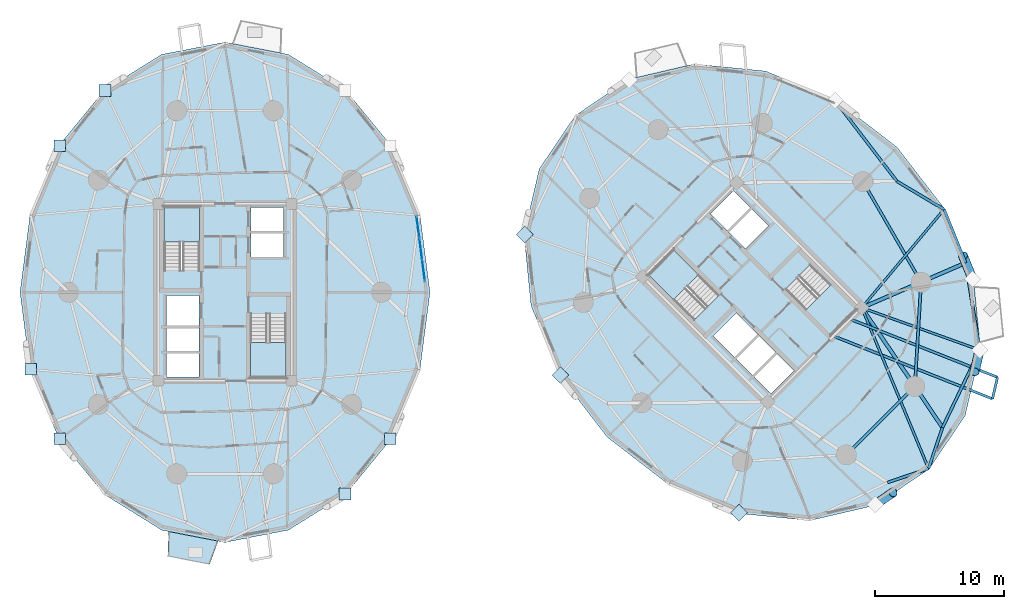
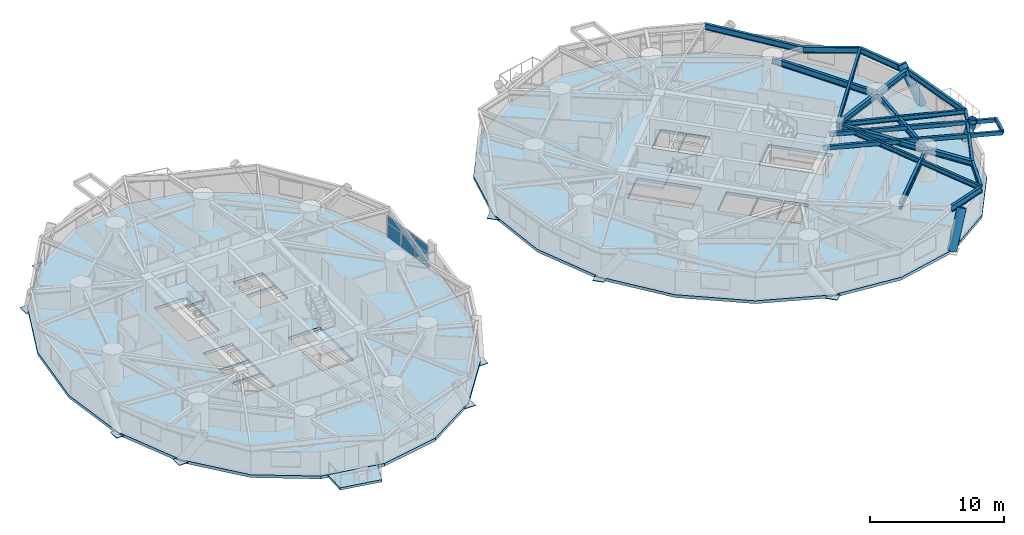
# One storey, part 8 of 19: 18 beams, 15 plates, 7 slabs, 3 members, 5 elements without a shape of their own.
"""IFC4 building model written with IfcOpenShell, lengths in metres."""

from ifc_helpers import new_model, si_unit, direction, frame, origin, origin_2d, place, context, subcontext, project, spatial, polyline, rectangle, hollow_rectangle, hollow_circle, i_section, outline, extrude, source, transform, mapped, material, layer, layer_set, material_profile, profile_set, type_object, element, aggregate, save


model = new_model("IFC4")

# Units and contexts
model_context = context("Model", 3, precision=1e-05, world=origin(), true_north=direction((0.0, 1.0)))
body_context = subcontext(model_context, "Body", "Model", "MODEL_VIEW")
ifc_project = project(units=[si_unit("LENGTHUNIT", "METRE"), si_unit("AREAUNIT", "SQUARE_METRE"), si_unit("VOLUMEUNIT", "CUBIC_METRE"), si_unit("PLANEANGLEUNIT", "RADIAN"), si_unit("MASSUNIT", "GRAM", prefix="KILO")], contexts=[model_context])

# Site, building, storey
site_placement = place(None, origin())
site = spatial("IfcSite", under=ifc_project, at=site_placement, CompositionType="ELEMENT")
building_placement = place(site_placement, origin())
building = spatial("IfcBuilding", under=site, at=building_placement, Name="Cununo Teusaquillo Station Towers", CompositionType="ELEMENT")
storey_placement = place(building_placement, frame((0.0, 0.0, 48.18994140625)))
storey = spatial("IfcBuildingStorey", under=building, at=storey_placement, Name="L14", CompositionType="ELEMENT", Elevation=48.18994140625)

# Beams
ifc_material_1 = material(Name="Steel EN 10025-2 S355J2", Category="steel")
ifc_material_profile_1 = material_profile(ifc_material_1, hollow_rectangle(XDim=0.199951171875, YDim=0.35009765625, WallThickness=0.013916015625, at=origin_2d()), Name="RHS 350x200x14")
ifc_profile_set_1 = profile_set([ifc_material_profile_1], Name="Steel EN 10025-2 S355J2")
beam_type_1 = type_object("IfcBeamType", Name="BM-BAL-CANT", PredefinedType="BEAM", material=ifc_profile_set_1)
beam_1_placement = place(storey_placement, frame((63.587890625, 21.18359375, 2.47509765625), z_axis=(0.930193782054, -0.367068832548, 0.0), x_axis=(0.367068832548, 0.930193782054, 0.0)))
element("IfcBeam", 1, at=beam_1_placement, inside=storey, type_object=beam_type_1, Name="L14 Tower B Balcony Cantilever Bracket 2A", PredefinedType="BEAM", context=body_context, shape_type="SweptSolid", body=[
    extrude(hollow_rectangle(XDim=0.199951171875, YDim=0.35009765625, WallThickness=0.013916015625, at=origin_2d()), origin(), (0.0, 0.0, 1.0), 13.541015625),
])
beam_2_placement = place(storey_placement, frame((64.89892578125, 22.494384765625, 2.47509765625), z_axis=(0.930195773003, -0.367063787218, 0.0), x_axis=(0.367063787218, 0.930195773003, 0.0)))
element("IfcBeam", 2, at=beam_2_placement, inside=storey, type_object=beam_type_1, Name="L14 Tower B Balcony Cantilever Bracket 2B", PredefinedType="BEAM", context=body_context, shape_type="SweptSolid", body=[
    extrude(hollow_rectangle(XDim=0.199951171875, YDim=0.35009765625, WallThickness=0.013916015625, at=origin_2d()), origin(), (0.0, 0.0, 1.0), 12.551513671875),
])
ifc_material_2 = material(Name="Steel ASTM A572 Grade 50", Category="steel")
ifc_material_profile_2 = material_profile(ifc_material_2, i_section(OverallWidth=0.180908203125, OverallDepth=0.4169921875, WebThickness=0.010986328125, FlangeThickness=0.018310546875, FilletRadius=0.012939453125, at=origin_2d()), Name="W16X57")
ifc_profile_set_2 = profile_set([ifc_material_profile_2], Name="Steel ASTM A572 Grade 50")
beam_type_2 = type_object("IfcBeamType", Name="BM-JOIST-1", PredefinedType="JOIST", material=ifc_profile_set_2)
beam_3_placement = place(storey_placement, frame((66.024169921875, 23.29443359375, 2.441650390625), z_axis=(0.383107724927, -0.923703670612, 0.0), x_axis=(0.923703670612, 0.383107724927, 0.0)))
element("IfcBeam", 3, at=beam_3_placement, inside=storey, type_object=beam_type_2, Name="L14 Tower B Radial Spandrel Joist V15", PredefinedType="JOIST", context=body_context, shape_type="SweptSolid", body=[
    extrude(i_section(OverallWidth=0.180908203125, OverallDepth=0.4169921875, WebThickness=0.010986328125, FlangeThickness=0.018310546875, FilletRadius=0.012939453125, at=origin_2d()), origin(), (0.0, 0.0, 1.0), 13.5380859375),
])
beam_4_placement = place(storey_placement, frame((66.024169921875, 23.29443359375, 2.441650390625), z_axis=(0.941404588136, -0.337279411522, 0.0), x_axis=(0.337279411522, 0.941404588136, 0.0)))
element("IfcBeam", 4, at=beam_4_placement, inside=storey, type_object=beam_type_2, Name="L14 Tower B Radial Spandrel Joist V17", PredefinedType="JOIST", context=body_context, shape_type="SweptSolid", body=[
    extrude(i_section(OverallWidth=0.180908203125, OverallDepth=0.4169921875, WebThickness=0.010986328125, FlangeThickness=0.018310546875, FilletRadius=0.012939453125, at=origin_2d()), origin(), (0.0, 0.0, 1.0), 9.740234375),
])
beam_5_placement = place(storey_placement, frame((66.024169921875, 23.29443359375, 2.441650390625), z_axis=(0.641315728701, 0.767277092139, 0.0), x_axis=(-0.767277092139, 0.641315728701, 0.0)))
element("IfcBeam", 5, at=beam_5_placement, inside=storey, type_object=beam_type_2, Name="L14 Tower B Radial Spandrel Joist V19", PredefinedType="JOIST", context=body_context, shape_type="SweptSolid", body=[
    extrude(i_section(OverallWidth=0.180908203125, OverallDepth=0.4169921875, WebThickness=0.010986328125, FlangeThickness=0.018310546875, FilletRadius=0.012939453125, at=origin_2d()), origin(), (0.0, 0.0, 1.0), 9.97021484375),
])
ifc_material_3 = material(Name="Steel ASTM A572 Grade 50", Category="steel")
ifc_material_profile_3 = material_profile(ifc_material_3, i_section(OverallWidth=0.280029296875, OverallDepth=0.462890625, WebThickness=0.0107421875, FlangeThickness=0.017333984375, FilletRadius=0.013916015625, at=origin_2d()), Name="W18X76")
ifc_profile_set_3 = profile_set([ifc_material_profile_3], Name="Steel ASTM A572 Grade 50")
beam_type_3 = type_object("IfcBeamType", Name="BM-RAD-G1", PredefinedType="BEAM", material=ifc_profile_set_3)
beam_6_placement = place(storey_placement, frame((66.024169921875, 23.29443359375, 2.41845703125), z_axis=(0.558572297481, -0.82945583878, 0.0), x_axis=(0.82945583878, 0.558572297481, 0.0)))
element("IfcBeam", 6, at=beam_6_placement, inside=storey, type_object=beam_type_3, Name="L14 Tower B Continuous Overhanging Radial Girder 09", PredefinedType="BEAM", context=body_context, shape_type="SweptSolid", body=[
    extrude(i_section(OverallWidth=0.280029296875, OverallDepth=0.462890625, WebThickness=0.0107421875, FlangeThickness=0.017333984375, FilletRadius=0.013916015625, at=origin_2d()), origin(), (0.0, 0.0, 1.0), 11.22998046875),
])
beam_7_placement = place(storey_placement, frame((66.024169921875, 23.29443359375, 2.41845703125), z_axis=(0.917660203996, 0.397366015157, 0.0), x_axis=(-0.397366015157, 0.917660203996, 0.0)))
element("IfcBeam", 7, at=beam_7_placement, inside=storey, type_object=beam_type_3, Name="L14 Tower B Continuous Overhanging Radial Girder 10", PredefinedType="BEAM", context=body_context, shape_type="SweptSolid", body=[
    extrude(i_section(OverallWidth=0.280029296875, OverallDepth=0.462890625, WebThickness=0.0107421875, FlangeThickness=0.017333984375, FilletRadius=0.013916015625, at=origin_2d()), origin(), (0.0, 0.0, 1.0), 8.798095703125),
])
ifc_material_4 = material(Name="Steel ASTM A572 Grade 50", Category="steel")
ifc_material_profile_4 = material_profile(ifc_material_4, i_section(OverallWidth=0.214111328125, OverallDepth=0.549072265625, WebThickness=0.0146484375, FlangeThickness=0.023681640625, FilletRadius=0.014892578125, at=origin_2d()), Name="W21X93")
ifc_profile_set_4 = profile_set([ifc_material_profile_4], Name="Steel ASTM A572 Grade 50")
beam_type_4 = type_object("IfcBeamType", Name="BM-RING-Z1", PredefinedType="SPANDREL", material=ifc_profile_set_4)
beam_8_placement = place(storey_placement, frame((64.826904296875, 11.853759765625, 2.37548828125), z_axis=(0.707106781187, 0.707106781187, 0.0), x_axis=(-0.707106781187, 0.707106781187, 0.0)))
element("IfcBeam", 8, at=beam_8_placement, inside=storey, type_object=beam_type_4, Name="L14 Tower B Structural Column Ring Girder 08", PredefinedType="SPANDREL", context=body_context, shape_type="SweptSolid", body=[
    extrude(i_section(OverallWidth=0.214111328125, OverallDepth=0.549072265625, WebThickness=0.0146484375, FlangeThickness=0.023681640625, FilletRadius=0.014892578125, at=origin_2d()), origin(), (0.0, 0.0, 1.0), 7.522705078125),
])
beam_9_placement = place(storey_placement, frame((70.146240234375, 17.173095703125, 2.37548828125), z_axis=(0.06012979176, 0.998190567048, 0.0), x_axis=(-0.998190567048, 0.06012979176, 0.0)))
element("IfcBeam", 9, at=beam_9_placement, inside=storey, type_object=beam_type_4, Name="L14 Tower B Structural Column Ring Girder 09", PredefinedType="SPANDREL", context=body_context, shape_type="SweptSolid", body=[
    extrude(i_section(OverallWidth=0.214111328125, OverallDepth=0.549072265625, WebThickness=0.0146484375, FlangeThickness=0.023681640625, FilletRadius=0.014892578125, at=origin_2d()), origin(), (0.0, 0.0, 1.0), 8.132568359375),
])
beam_10_placement = place(storey_placement, frame((70.63525390625, 25.291015625, 2.37548828125), z_axis=(-0.501311121078, 0.865267103202, 0.0), x_axis=(-0.865267103202, -0.501311121078, 0.0)))
element("IfcBeam", 10, at=beam_10_placement, inside=storey, type_object=beam_type_4, Name="L14 Tower B Structural Column Ring Girder 10", PredefinedType="SPANDREL", context=body_context, shape_type="SweptSolid", body=[
    extrude(i_section(OverallWidth=0.214111328125, OverallDepth=0.549072265625, WebThickness=0.0146484375, FlangeThickness=0.023681640625, FilletRadius=0.014892578125, at=origin_2d()), origin(), (0.0, 0.0, 1.0), 9.032958984375),
])
beam_11_placement = place(storey_placement, frame((68.7529296875, 33.12939453125, 2.37548828125), z_axis=(-0.607410042696, 0.794388469222, 0.0), x_axis=(-0.794388469222, -0.607410042696, 0.0)))
element("IfcBeam", 11, at=beam_11_placement, inside=storey, type_object=beam_type_4, Name="L14 Tower B Spandrel Ring Beam 01", PredefinedType="SPANDREL", context=body_context, shape_type="SweptSolid", body=[
    extrude(i_section(OverallWidth=0.214111328125, OverallDepth=0.549072265625, WebThickness=0.0146484375, FlangeThickness=0.023681640625, FilletRadius=0.014892578125, at=origin_2d()), origin(), (0.0, 0.0, 1.0), 7.91650390625),
])
for number, where, z_axis, x_axis, name in (
    (12, (68.020263671875, 9.703125, 2.37548828125), (0.946642852865, 0.322284515794, 0.0), (-0.322284515794, 0.946642852865, 0.0), "L14 Tower B Spandrel Ring Beam 15"),
    (13, (71.210693359375, 10.789306640625, 2.37548828125), (0.322284515794, 0.946642852865, 0.0), (-0.946642852865, 0.322284515794, 0.0), "L14 Tower B Spandrel Ring Beam 16"),
):
    element("IfcBeam", number, at=place(storey_placement, frame(where, z_axis=z_axis, x_axis=x_axis)), inside=storey, type_object=beam_type_4, Name=name, PredefinedType="SPANDREL", context=body_context, shape_type="SweptSolid", body=[
        extrude(i_section(OverallWidth=0.214111328125, OverallDepth=0.549072265625, WebThickness=0.0146484375, FlangeThickness=0.023681640625, FilletRadius=0.014892578125, at=origin_2d()), origin(), (0.0, 0.0, 1.0), 3.370361328125),
    ])
beam_12_placement = place(storey_placement, frame((72.296875, 13.979736328125, 2.37548828125), z_axis=(0.433040723491, 0.901374357189, 0.0), x_axis=(-0.901374357189, 0.433040723491, 0.0)))
element("IfcBeam", 14, at=beam_12_placement, inside=storey, type_object=beam_type_4, Name="L14 Tower B Spandrel Ring Beam 17", PredefinedType="SPANDREL", context=body_context, shape_type="SweptSolid", body=[
    extrude(i_section(OverallWidth=0.214111328125, OverallDepth=0.549072265625, WebThickness=0.0146484375, FlangeThickness=0.023681640625, FilletRadius=0.014892578125, at=origin_2d()), origin(), (0.0, 0.0, 1.0), 6.689208984375),
])
beam_13_placement = place(storey_placement, frame((75.193603515625, 20.00927734375, 2.37548828125), z_axis=(-0.15950955411, 0.987196384793, 0.0), x_axis=(-0.987196384793, -0.15950955411, 0.0)))
element("IfcBeam", 15, at=beam_13_placement, inside=storey, type_object=beam_type_4, Name="L14 Tower B Spandrel Ring Beam 18", PredefinedType="SPANDREL", context=body_context, shape_type="SweptSolid", body=[
    extrude(i_section(OverallWidth=0.214111328125, OverallDepth=0.549072265625, WebThickness=0.0146484375, FlangeThickness=0.023681640625, FilletRadius=0.014892578125, at=origin_2d()), origin(), (0.0, 0.0, 1.0), 6.869140625),
])
beam_14_placement = place(storey_placement, frame((74.097900390625, 26.79052734375, 2.37548828125), z_axis=(-0.374882843411, 0.927072194447, 0.0), x_axis=(-0.927072194447, -0.374882843411, 0.0)))
element("IfcBeam", 16, at=beam_14_placement, inside=storey, type_object=beam_type_4, Name="L14 Tower B Spandrel Ring Beam 19", PredefinedType="SPANDREL", context=body_context, shape_type="SweptSolid", body=[
    extrude(i_section(OverallWidth=0.214111328125, OverallDepth=0.549072265625, WebThickness=0.0146484375, FlangeThickness=0.023681640625, FilletRadius=0.014892578125, at=origin_2d()), origin(), (0.0, 0.0, 1.0), 4.48046875),
])
beam_15_placement = place(storey_placement, frame((72.418212890625, 30.9443359375, 2.37548828125), z_axis=(-0.858948426011, 0.512062107027, 0.0), x_axis=(-0.512062107027, -0.858948426011, 0.0)))
element("IfcBeam", 17, at=beam_15_placement, inside=storey, type_object=beam_type_4, Name="L14 Tower B Spandrel Ring Beam 20", PredefinedType="SPANDREL", context=body_context, shape_type="SweptSolid", body=[
    extrude(i_section(OverallWidth=0.214111328125, OverallDepth=0.549072265625, WebThickness=0.0146484375, FlangeThickness=0.023681640625, FilletRadius=0.014892578125, at=origin_2d()), origin(), (0.0, 0.0, 1.0), 4.26708984375),
])
ifc_material_5 = material(Name="Steel EN 10025-2 S355J2", Category="steel")
ifc_material_profile_5 = material_profile(ifc_material_5, hollow_rectangle(XDim=0.199951171875, YDim=0.35009765625, WallThickness=0.013916015625, at=origin_2d()), Name="RHS 350x200x14")
ifc_profile_set_5 = profile_set([ifc_material_profile_5], Name="Steel EN 10025-2 S355J2")
beam_type_5 = type_object("IfcBeamType", Name="BM-STAIR-TRIM", PredefinedType="BEAM", material=ifc_profile_set_5)
beam_16_placement = place(storey_placement, frame((76.18359375, 16.213134765625, 2.525146484375), z_axis=(0.227234105214, 0.973840162156, 0.0), x_axis=(-0.973840162156, 0.227234105214, 0.0)))
element("IfcBeam", 18, at=beam_16_placement, inside=storey, type_object=beam_type_5, Name="L14 Tower B Balcony Edge Trimmer Beam 2", PredefinedType="BEAM", context=body_context, shape_type="SweptSolid", body=[
    extrude(hollow_rectangle(XDim=0.199951171875, YDim=0.35009765625, WallThickness=0.013916015625, at=origin_2d()), origin(), (0.0, 0.0, 1.0), 1.718994140625),
])

# Members
ifc_material_6 = material(Name="Steel EN 10025-2 S355J2", Category="steel")
ifc_material_profile_6 = material_profile(ifc_material_6, hollow_circle(Radius=0.360107421875, WallThickness=0.028076171875, at=origin_2d()), Name="CHS 720x28")
ifc_profile_set_6 = profile_set([ifc_material_profile_6], Name="Steel EN 10025-2 S355J2")
member_type = type_object("IfcMemberType", Name="MBR-DIAG-Z1", PredefinedType="BRACE", material=ifc_profile_set_6)
member_1_placement = place(storey_placement, frame((67.069091796875, 7.98974609375, -0.139892578125), z_axis=(0.411722920542, 0.278267904918, 0.867785232527), x_axis=(-0.559963432154, 0.828517323084, 0.0)))
element("IfcMember", 19, at=member_1_placement, inside=storey, type_object=member_type, Name="L14 Tower B Folded-Zigzag Diagrid Tube C14", PredefinedType="BRACE", context=body_context, shape_type="SweptSolid", body=[
    extrude(hollow_circle(Radius=0.360107421875, WallThickness=0.028076171875, at=origin_2d()), origin(), (0.0, 0.0, 1.0), 3.353271484375),
])
member_2_placement = place(storey_placement, frame((75.193603515625, 20.00927734375, -0.139892578125), z_axis=(-0.11632526398, -0.499442340827, 0.858502056578), x_axis=(0.973932302924, -0.226838862017, 0.0)))
element("IfcMember", 20, at=member_2_placement, inside=storey, type_object=member_type, Name="L14 Tower B Folded-Zigzag Diagrid Tube C16", PredefinedType="BRACE", context=body_context, shape_type="SweptSolid", body=[
    extrude(hollow_circle(Radius=0.360107421875, WallThickness=0.028076171875, at=origin_2d()), origin(), (0.0, 0.0, 1.0), 3.389404296875),
])
member_3_placement = place(storey_placement, frame((74.64501953125, 25.527099609375, -0.139892578125), z_axis=(-0.211804277744, 0.515297512564, 0.830426048167), x_axis=(-0.924916190309, -0.380171067947, 0.0)))
element("IfcMember", 21, at=member_3_placement, inside=storey, type_object=member_type, Name="L14 Tower B Folded-Zigzag Diagrid Tube C18", PredefinedType="BRACE", context=body_context, shape_type="SweptSolid", body=[
    extrude(hollow_circle(Radius=0.360107421875, WallThickness=0.028076171875, at=origin_2d()), origin(), (0.0, 0.0, 1.0), 3.504150390625),
])

# Slab
ifc_material_7 = material(Name="Concrete C50/60", Category="concrete")
ifc_layer_1 = layer(ifc_material_7, 0.2099609375)
ifc_layer_set_1 = layer_set([ifc_layer_1], Name="Concrete C50/60")
slab_type_1 = type_object("IfcSlabType", Name="SLB-BAL-210", PredefinedType="FLOOR", material=ifc_layer_set_1)
slab_1_placement = place(storey_placement, frame((0.0, 0.0, -0.2099609375)))
element("IfcSlab", 22, at=slab_1_placement, inside=storey, type_object=slab_type_1, Name="L14 Tower A Tree Balcony Slab 2", PredefinedType="FLOOR", context=body_context, shape_type="SweptSolid", body=[
    extrude(outline(polyline([(12.1123046875, 5.892578125), (15.958984375, 5.1494140625), (15.30126953125, 3.326171875), (12.043701171875, 3.95556640625), (12.1123046875, 5.892578125)])), origin(), (0.0, 0.0, 1.0), 0.2099609375),
])

# Stair, slab
ifc_material_8 = material(Name="Concrete C50/60", Category="concrete")
stair_type = type_object("IfcStairType", Name="ST-TWR-1300", PredefinedType="HALF_TURN_STAIR", material=ifc_material_8)
stair_1_placement = place(storey_placement, origin())
stair_1 = element("IfcStair", 23, at=stair_1_placement, inside=storey, type_object=stair_type, Name="L14 Tower A Protected Core Exit Stair 1", PredefinedType="HALF_TURN_STAIR")
ifc_material_9 = material(Name="Concrete C50/60", Category="concrete")
ifc_layer_2 = layer(ifc_material_9, 0.199951171875)
ifc_layer_set_2 = layer_set([ifc_layer_2], Name="Concrete C50/60")
slab_type_2 = type_object("IfcSlabType", Name="SLB-STAIR-LND", PredefinedType="LANDING", material=ifc_layer_set_2)
slab_2_placement = place(storey_placement, frame((0.0, 0.0, 1.255126953125)))
slab_2 = element("IfcSlab", 24, at=slab_2_placement, type_object=slab_type_2, Name="ST-T1-1 landing 1", PredefinedType="LANDING", context=body_context, shape_type="SweptSolid", body=[
    extrude(outline(polyline([(14.52001953125, 28.409912109375), (14.52001953125, 31.159912109375), (11.760009765625, 31.159912109375), (11.760009765625, 28.409912109375), (14.52001953125, 28.409912109375)])), origin(), (0.0, 0.0, 1.0), 0.199951171875),
])
aggregate(stair_1, [slab_2])

stair_2_placement = place(storey_placement, origin())
stair_2 = element("IfcStair", 25, at=stair_2_placement, inside=storey, type_object=stair_type, Name="L14 Tower A Protected Core Exit Stair 2", PredefinedType="HALF_TURN_STAIR")
slab_3_placement = place(storey_placement, frame((0.0, 0.0, 1.255126953125)))
slab_3 = element("IfcSlab", 26, at=slab_3_placement, type_object=slab_type_2, Name="ST-T1-2 landing 1", PredefinedType="LANDING", context=body_context, shape_type="SweptSolid", body=[
    extrude(outline(polyline([(18.47998046875, 20.590087890625), (18.47998046875, 17.840087890625), (21.239990234375, 17.840087890625), (21.239990234375, 20.590087890625), (18.47998046875, 20.590087890625)])), origin(), (0.0, 0.0, 1.0), 0.199951171875),
])
aggregate(stair_2, [slab_3])

stair_3_placement = place(storey_placement, origin())
stair_3 = element("IfcStair", 27, at=stair_3_placement, inside=storey, type_object=stair_type, Name="L14 Tower B Protected Core Exit Stair 1", PredefinedType="HALF_TURN_STAIR")
slab_4_placement = place(storey_placement, frame((0.0, 0.0, 1.255126953125)))
slab_4 = element("IfcSlab", 28, at=slab_4_placement, type_object=slab_type_2, Name="ST-T2-1 landing 1", PredefinedType="LANDING", context=body_context, shape_type="SweptSolid", body=[
    extrude(outline(polyline([(53.335205078125, 25.86474609375), (51.390625, 27.809326171875), (49.43896484375, 25.857666015625), (51.383544921875, 23.9130859375), (53.335205078125, 25.86474609375)])), origin(), (0.0, 0.0, 1.0), 0.199951171875),
])
aggregate(stair_3, [slab_4])

stair_4_placement = place(storey_placement, origin())
stair_4 = element("IfcStair", 29, at=stair_4_placement, inside=storey, type_object=stair_type, Name="L14 Tower B Protected Core Exit Stair 2", PredefinedType="HALF_TURN_STAIR")
slab_5_placement = place(storey_placement, frame((0.0, 0.0, 1.255126953125)))
slab_5 = element("IfcSlab", 30, at=slab_5_placement, type_object=slab_type_2, Name="ST-T2-2 landing 1", PredefinedType="LANDING", context=body_context, shape_type="SweptSolid", body=[
    extrude(outline(polyline([(61.664794921875, 23.13525390625), (63.609375, 21.190673828125), (65.56103515625, 23.142333984375), (63.616455078125, 25.0869140625), (61.664794921875, 23.13525390625)])), origin(), (0.0, 0.0, 1.0), 0.199951171875),
])
aggregate(stair_4, [slab_5])

# Slabs
ifc_material_10 = material(Name="Concrete C50/60", Category="concrete")
ifc_layer_3 = layer(ifc_material_10, 0.260009765625)
ifc_layer_set_3 = layer_set([ifc_layer_3], Name="Concrete C50/60")
slab_type_3 = type_object("IfcSlabType", Name="SLB-Z1-260", PredefinedType="FLOOR", material=ifc_layer_set_3)
slab_6_placement = place(storey_placement, frame((0.0, 0.0, -0.260009765625)))
element("IfcSlab", 31, at=slab_6_placement, inside=storey, type_object=slab_type_3, Name="L14 Tower A Floor Slab", PredefinedType="FLOOR", context=body_context, shape_type="SweptSolid", body=[
    extrude(outline(polyline([(32.443115234375, 24.5), (31.66259765625, 30.510498046875), (29.398193359375, 35.932373046875), (25.87109375, 40.2353515625), (21.4267578125, 42.998046875), (16.5, 43.949951171875), (11.5732421875, 42.998046875), (7.12890625, 40.2353515625), (3.601806640625, 35.932373046875), (1.33740234375, 30.510498046875), (0.556884765625, 24.5), (1.33740234375, 18.489501953125), (3.601806640625, 13.067626953125), (7.12890625, 8.7646484375), (11.5732421875, 6.001953125), (16.5, 5.050048828125), (21.4267578125, 6.001953125), (25.87109375, 8.7646484375), (29.398193359375, 13.067626953125), (31.66259765625, 18.489501953125), (32.443115234375, 24.5)]), holes=[polyline([(14.52001953125, 26.176025390625), (14.52001953125, 31.159912109375), (11.760009765625, 31.159912109375), (11.760009765625, 26.176025390625), (14.52001953125, 26.176025390625)]), polyline([(18.47998046875, 22.823974609375), (18.47998046875, 17.840087890625), (21.239990234375, 17.840087890625), (21.239990234375, 22.823974609375), (18.47998046875, 22.823974609375)]), polyline([(11.949951171875, 21.85009765625), (14.47998046875, 21.85009765625), (14.47998046875, 24.25), (11.949951171875, 24.25), (11.949951171875, 21.85009765625)]), polyline([(11.949951171875, 17.89990234375), (14.47998046875, 17.89990234375), (14.47998046875, 19.75), (11.949951171875, 19.75), (11.949951171875, 17.89990234375)]), polyline([(11.949951171875, 19.89990234375), (14.47998046875, 19.89990234375), (14.47998046875, 21.75), (11.949951171875, 21.75), (11.949951171875, 19.89990234375)]), polyline([(18.52001953125, 27.25), (21.050048828125, 27.25), (21.050048828125, 29.10009765625), (18.52001953125, 29.10009765625), (18.52001953125, 27.25)]), polyline([(18.52001953125, 29.25), (21.050048828125, 29.25), (21.050048828125, 31.10009765625), (18.52001953125, 31.10009765625), (18.52001953125, 29.25)])]), origin(), (0.0, 0.0, 1.0), 0.260009765625),
])
slab_7_placement = place(storey_placement, frame((0.0, 0.0, -0.260009765625)))
element("IfcSlab", 32, at=slab_7_placement, inside=storey, type_object=slab_type_3, Name="L14 Tower B Floor Slab", PredefinedType="FLOOR", context=body_context, shape_type="SweptSolid", body=[
    extrude(outline(polyline([(68.7734375, 35.7734375), (63.9716796875, 39.4716796875), (58.53662109375, 41.704345703125), (52.999755859375, 42.2529296875), (47.903564453125, 41.063720703125), (43.746826171875, 38.253173828125), (40.936279296875, 34.096435546875), (39.7470703125, 29.000244140625), (40.295654296875, 23.46337890625), (42.5283203125, 18.0283203125), (46.2265625, 13.2265625), (51.0283203125, 9.5283203125), (56.46337890625, 7.295654296875), (62.000244140625, 6.7470703125), (67.096435546875, 7.936279296875), (71.253173828125, 10.746826171875), (74.063720703125, 14.903564453125), (75.2529296875, 19.999755859375), (74.704345703125, 25.53662109375), (72.4716796875, 30.9716796875), (68.7734375, 35.7734375)]), holes=[polyline([(54.914794921875, 24.28515625), (51.390625, 27.809326171875), (49.43896484375, 25.857666015625), (52.963134765625, 22.33349609375), (54.914794921875, 24.28515625)]), polyline([(60.085205078125, 24.71484375), (63.609375, 21.190673828125), (65.56103515625, 23.142333984375), (62.036865234375, 26.66650390625), (60.085205078125, 24.71484375)]), polyline([(56.156494140625, 19.40869140625), (57.945556640625, 21.19775390625), (56.248291015625, 22.89501953125), (54.45947265625, 21.10595703125), (56.156494140625, 19.40869140625)]), polyline([(58.94970703125, 16.61572265625), (60.738525390625, 18.40478515625), (59.430419921875, 19.712890625), (57.641357421875, 17.923828125), (58.94970703125, 16.61572265625)]), polyline([(57.535400390625, 18.030029296875), (59.32421875, 19.819091796875), (58.01611328125, 21.127197265625), (56.227294921875, 19.338134765625), (57.535400390625, 18.030029296875)]), polyline([(56.98388671875, 27.872802734375), (58.772705078125, 29.661865234375), (57.464599609375, 30.969970703125), (55.67578125, 29.180908203125), (56.98388671875, 27.872802734375)]), polyline([(55.569580078125, 29.287109375), (57.358642578125, 31.076171875), (56.05029296875, 32.38427734375), (54.261474609375, 30.59521484375), (55.569580078125, 29.287109375)])]), origin(), (0.0, 0.0, 1.0), 0.260009765625),
])

# Plates
ifc_material_11 = material(Name="Steel ASTM A572 Grade 50", Category="steel")
ifc_layer_4 = layer(ifc_material_11, 0.050048828125)
ifc_layer_set_4 = layer_set([ifc_layer_4], Name="Steel ASTM A572 Grade 50")
plate_type_1 = type_object("IfcPlateType", Name="PLT-NODE-DN1", PredefinedType="USERDEFINED", material=ifc_layer_set_4)
shared_shape_1 = source(origin(), body_context, "Body", "SweptSolid", [
    extrude(rectangle(XDim=0.919921875, YDim=0.919921875, at=origin_2d()), origin(), (0.0, 0.0, 1.0), 0.050048828125),
])
for number, where, z_axis, x_axis, name in (
    (33, (7.164306640625, 40.186767578125, -0.1650390625), (0.0, 0.0, 1.0), (1.0, 0.0, 0.0), "L14 Tower A Diagrid Node Assembly C06"),
    (34, (3.650390625, 35.897216796875, -0.1650390625), (0.0, 0.0, 1.0), (1.0, 0.0, 0.0), "L14 Tower A Diagrid Node Assembly C08"),
    (35, (1.394287109375, 18.50830078125, -0.1650390625), (0.0, 0.0, 1.0), (1.0, 0.0, 0.0), "L14 Tower A Diagrid Node Assembly C10"),
    (36, (3.650390625, 13.102783203125, -0.1650390625), (0.0, 0.0, 1.0), (1.0, 0.0, 0.0), "L14 Tower A Diagrid Node Assembly C12"),
    (37, (25.835693359375, 8.813232421875, -0.1650390625), (0.0, 0.0, 1.0), (1.0, 0.0, 0.0), "L14 Tower A Diagrid Node Assembly C16"),
    (38, (29.349609375, 13.102783203125, -0.1650390625), (0.0, 0.0, 1.0), (1.0, 0.0, 0.0), "L14 Tower A Diagrid Node Assembly C18"),
    (39, (39.806396484375, 28.99072265625, -0.1650390625), (0.0, 0.0, 1.0), (0.707106781187, 0.707106781187, 0.0), "L14 Tower B Diagrid Node Assembly C06"),
    (40, (42.581787109375, 18.0556640625, -0.1650390625), (0.0, 0.0, 1.0), (0.707106781187, 0.707106781187, 0.0), "L14 Tower B Diagrid Node Assembly C09"),
    (41, (56.472900390625, 7.35498046875, -0.1650390625), (0.0, 0.0, 1.0), (0.707106781187, 0.707106781187, 0.0), "L14 Tower B Diagrid Node Assembly C11"),
):
    element("IfcPlate", number, at=place(storey_placement, frame(where, z_axis=z_axis, x_axis=x_axis)), inside=storey, type_object=plate_type_1, Name=name, ObjectType="GUSSET PLATE", PredefinedType="USERDEFINED", context=body_context, shape_type="MappedRepresentation", body=[
        mapped(shared_shape_1, transform((0.0, 0.0, 0.0), x_axis=(1.0, 0.0, 0.0), y_axis=(0.0, 1.0, 0.0), z_axis=(0.0, 0.0, 1.0), scale=1.0)),
    ])

# Curtain wall, plates
ifc_material_12 = material(Name="Operable acoustic tinted low-E double glazing", Category="glass")
ifc_layer_5 = layer(ifc_material_12, 0.179931640625)
ifc_layer_set_5 = layer_set([ifc_layer_5], Name="Operable acoustic tinted low-E double glazing")
curtain_wall_type = type_object("IfcCurtainWallType", Name="CW-SYS-03", PredefinedType="USERDEFINED", material=ifc_layer_set_5)
curtain_wall_placement = place(storey_placement, origin())
curtain_wall = element("IfcCurtainWall", 42, at=curtain_wall_placement, inside=storey, type_object=curtain_wall_type, Name="L14 Tower A Facade Curtain Wall C00", ObjectType="OPERABLE GLAZING", PredefinedType="USERDEFINED")
ifc_material_13 = material(Name="Operable acoustic tinted low-E double glazing", Category="glass")
ifc_layer_6 = layer(ifc_material_13, 0.031982421875)
ifc_layer_set_6 = layer_set([ifc_layer_6], Name="Operable acoustic tinted low-E double glazing")
plate_type_2 = type_object("IfcPlateType", Name="CWP-OPER-32", PredefinedType="CURTAIN_PANEL", material=ifc_layer_set_6)
shared_shape_2 = source(origin(), body_context, "Body", "SweptSolid", [
    extrude(rectangle(XDim=1.602783203125, YDim=0.031982421875, at=origin_2d()), origin(), (0.0, 0.0, 1.0), 1.241943359375),
])
plate_1_placement = place(storey_placement, frame((31.50830078125, 29.559814453125, 0.0703125), z_axis=(0.0, 0.0, 1.0), x_axis=(0.128336112783, -0.99173073067, 0.0)))
plate_1 = element("IfcPlate", 43, at=plate_1_placement, type_object=plate_type_2, Name="CW-03 panel 1.1", PredefinedType="CURTAIN_PANEL", context=body_context, shape_type="MappedRepresentation", body=[
    mapped(shared_shape_2, transform((0.0, 0.0, 0.0), x_axis=(1.0, 0.0, 0.0), y_axis=(0.0, 1.0, 0.0), z_axis=(0.0, 0.0, 1.0), scale=1.0)),
])
plate_2_placement = place(storey_placement, frame((31.942138671875, 26.207275390625, 0.0703125), z_axis=(0.0, 0.0, 1.0), x_axis=(0.128336112783, -0.99173073067, 0.0)))
plate_2 = element("IfcPlate", 44, at=plate_2_placement, type_object=plate_type_2, Name="CW-03 panel 3.1", PredefinedType="CURTAIN_PANEL", context=body_context, shape_type="MappedRepresentation", body=[
    mapped(shared_shape_2, transform((0.0, 0.0, 0.0), x_axis=(1.0, 0.0, 0.0), y_axis=(0.0, 1.0, 0.0), z_axis=(0.0, 0.0, 1.0), scale=1.0)),
])
shared_shape_3 = source(origin(), body_context, "Body", "SweptSolid", [
    extrude(rectangle(XDim=1.602783203125, YDim=0.031982421875, at=origin_2d()), origin(), (0.0, 0.0, 1.0), 0.62109375),
])
plate_3_placement = place(storey_placement, frame((31.50830078125, 29.559814453125, 1.382080078125), z_axis=(0.0, 0.0, 1.0), x_axis=(0.128336112783, -0.99173073067, 0.0)))
plate_3 = element("IfcPlate", 45, at=plate_3_placement, type_object=plate_type_2, Name="CW-03 panel 1.2", PredefinedType="CURTAIN_PANEL", context=body_context, shape_type="MappedRepresentation", body=[
    mapped(shared_shape_3, transform((0.0, 0.0, 0.0), x_axis=(1.0, 0.0, 0.0), y_axis=(0.0, 1.0, 0.0), z_axis=(0.0, 0.0, 1.0), scale=1.0)),
])
plate_4_placement = place(storey_placement, frame((31.942138671875, 26.207275390625, 1.382080078125), z_axis=(0.0, 0.0, 1.0), x_axis=(0.128336112783, -0.99173073067, 0.0)))
plate_4 = element("IfcPlate", 46, at=plate_4_placement, type_object=plate_type_2, Name="CW-03 panel 3.2", PredefinedType="CURTAIN_PANEL", context=body_context, shape_type="MappedRepresentation", body=[
    mapped(shared_shape_3, transform((0.0, 0.0, 0.0), x_axis=(1.0, 0.0, 0.0), y_axis=(0.0, 1.0, 0.0), z_axis=(0.0, 0.0, 1.0), scale=1.0)),
])
shared_shape_4 = source(origin(), body_context, "Body", "SweptSolid", [
    extrude(rectangle(XDim=1.6376953125, YDim=0.031982421875, at=origin_2d()), origin(), (0.0, 0.0, 1.0), 1.241943359375),
])
plate_5_placement = place(storey_placement, frame((31.72509765625, 27.883544921875, 0.0703125), z_axis=(0.0, 0.0, 1.0), x_axis=(0.128336112783, -0.99173073067, 0.0)))
plate_5 = element("IfcPlate", 47, at=plate_5_placement, type_object=plate_type_2, Name="CW-03 panel 2.1", PredefinedType="CURTAIN_PANEL", context=body_context, shape_type="MappedRepresentation", body=[
    mapped(shared_shape_4, transform((0.0, 0.0, 0.0), x_axis=(1.0, 0.0, 0.0), y_axis=(0.0, 1.0, 0.0), z_axis=(0.0, 0.0, 1.0), scale=1.0)),
])
shared_shape_5 = source(origin(), body_context, "Body", "SweptSolid", [
    extrude(rectangle(XDim=1.6376953125, YDim=0.031982421875, at=origin_2d()), origin(), (0.0, 0.0, 1.0), 0.62109375),
])
plate_6_placement = place(storey_placement, frame((31.72509765625, 27.883544921875, 1.382080078125), z_axis=(0.0, 0.0, 1.0), x_axis=(0.128336112783, -0.99173073067, 0.0)))
plate_6 = element("IfcPlate", 48, at=plate_6_placement, type_object=plate_type_2, Name="CW-03 panel 2.2", PredefinedType="CURTAIN_PANEL", context=body_context, shape_type="MappedRepresentation", body=[
    mapped(shared_shape_5, transform((0.0, 0.0, 0.0), x_axis=(1.0, 0.0, 0.0), y_axis=(0.0, 1.0, 0.0), z_axis=(0.0, 0.0, 1.0), scale=1.0)),
])
aggregate(curtain_wall, [plate_1, plate_3, plate_5, plate_6, plate_2, plate_4])

save(model, "model.ifc")
